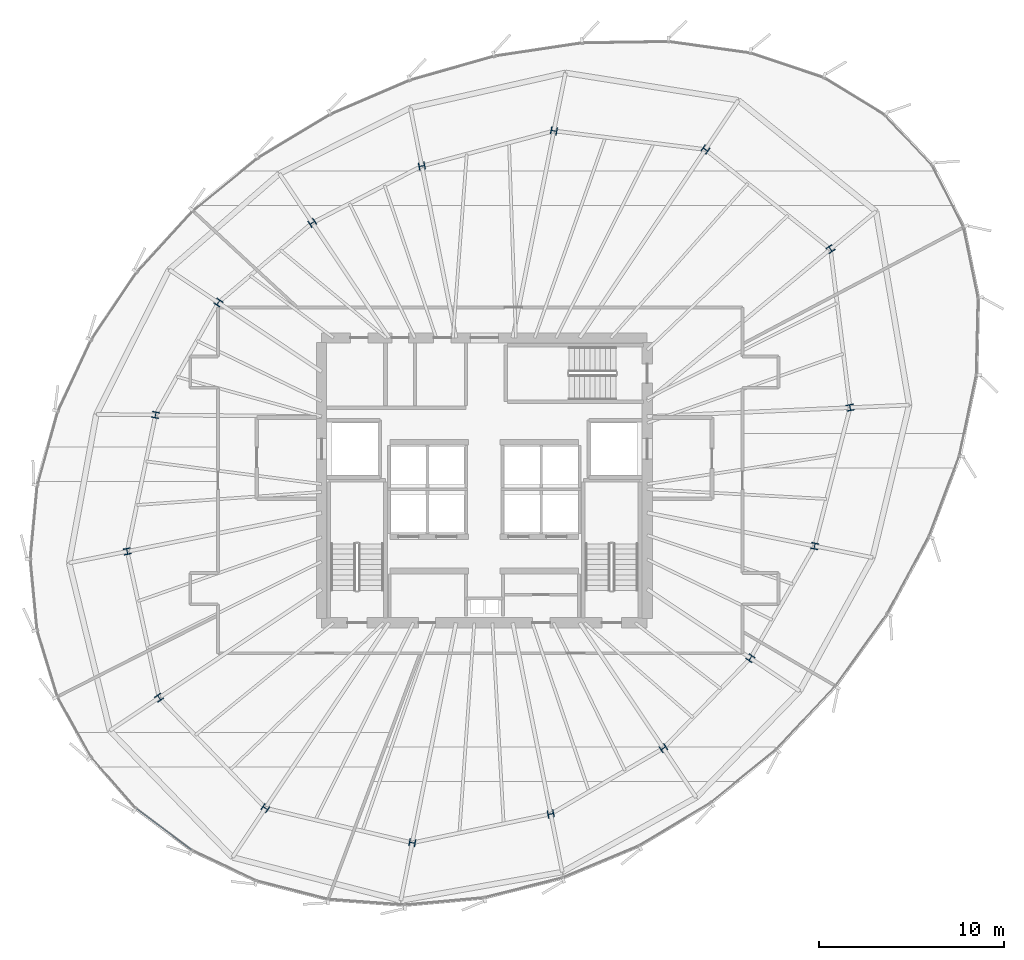
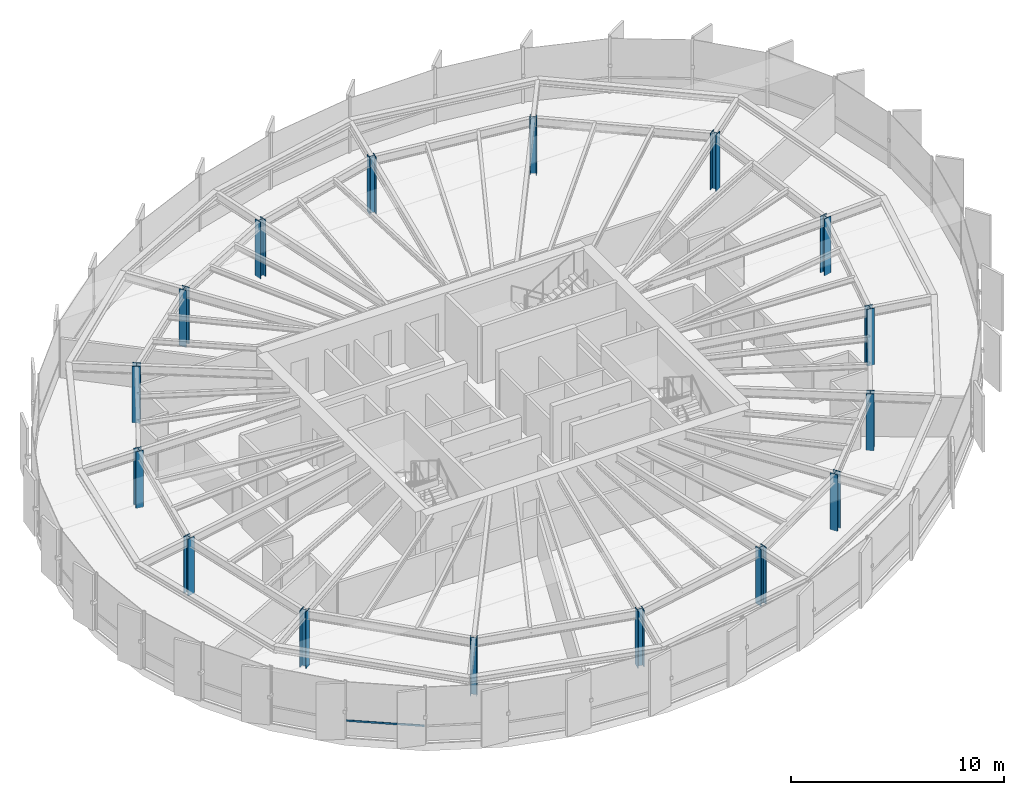
# One storey, part 1 of 36: 16 columns, 1 member, 1 element without a shape of its own.
"""IFC4 building model written with IfcOpenShell, lengths in metres."""

from ifc_helpers import new_model, si_unit, direction, frame, origin, origin_2d, place, context, subcontext, project, spatial, hollow_rectangle, i_section, extrude, source, transform, mapped, material, layer, layer_set, material_profile, profile_set, type_object, element, aggregate, save


model = new_model("IFC4")

# Units and contexts
model_context = context("Model", 3, precision=1e-05, world=origin(), true_north=direction((0.0, 1.0)))
body_context = subcontext(model_context, "Body", "Model", "MODEL_VIEW")
ifc_project = project(units=[si_unit("LENGTHUNIT", "METRE"), si_unit("AREAUNIT", "SQUARE_METRE"), si_unit("VOLUMEUNIT", "CUBIC_METRE"), si_unit("PLANEANGLEUNIT", "RADIAN"), si_unit("MASSUNIT", "GRAM", prefix="KILO"), si_unit("THERMODYNAMICTEMPERATUREUNIT", "KELVIN")], contexts=[model_context])

# Site, building, storey
site_placement = place(None, origin())
site = spatial("IfcSite", under=ifc_project, at=site_placement, CompositionType="ELEMENT")
building_placement = place(site_placement, origin())
building = spatial("IfcBuilding", under=site, at=building_placement, Name="Kethvar Cultural Tower", CompositionType="ELEMENT")
storey_placement = place(building_placement, frame((0.0, 0.0, 176.39990234375)))
storey = spatial("IfcBuildingStorey", under=building, at=storey_placement, Name="L45", CompositionType="ELEMENT", Elevation=176.39990234375)

# Columns
ifc_material_1 = material(Name="Steel S460M", Category="steel")
ifc_material_profile_1 = material_profile(ifc_material_1, i_section(OverallWidth=0.39111328125, OverallDepth=0.3349609375, WebThickness=0.022705078125, FlangeThickness=0.033935546875, FilletRadius=0.014892578125, at=origin_2d()), Name="Steel S460M — HD400x463")
ifc_profile_set_1 = profile_set([ifc_material_profile_1], Name="Steel S460M — HD400x463")
column_type = type_object("IfcColumnType", Name="COL-HD463", PredefinedType="COLUMN", material=ifc_profile_set_1)
shared_shape_1 = source(origin(), body_context, "Body", "SweptSolid", [
    extrude(i_section(OverallWidth=0.39111328125, OverallDepth=0.3349609375, WebThickness=0.022705078125, FlangeThickness=0.033935546875, FilletRadius=0.014892578125, at=origin_2d()), origin(), (0.0, 0.0, 1.0), 3.260009765625),
])
for number, where, z_axis, x_axis, name in (
    (1, (66.56396484375, 31.731201171875, 0.0), (0.0, 0.0, 1.0), (0.980785280403, 0.195090322016, 0.0), "L45 Mega-Column MC-01"),
    (2, (65.504150390625, 40.297607421875, 0.0), (0.0, 0.0, 1.0), (0.831469612303, 0.55557023302, 0.0), "L45 Mega-Column MC-02"),
    (3, (58.748046875, 45.681396484375, 0.0), (0.0, 0.0, 1.0), (0.55557023302, 0.831469612303, 0.0), "L45 Mega-Column MC-03"),
    (4, (50.556884765625, 46.6875, 0.0), (0.0, 0.0, 1.0), (0.195090322016, 0.980785280403, 0.0), "L45 Mega-Column MC-04"),
    (5, (43.420654296875, 44.789306640625, 0.0), (0.0, 0.0, 1.0), (-0.195090322016, 0.980785280403, 0.0), "L45 Mega-Column MC-05"),
    (6, (37.498779296875, 41.720458984375, 0.0), (0.0, 0.0, 1.0), (-0.55557023302, 0.831469612303, 0.0), "L45 Mega-Column MC-06"),
    (7, (32.418212890625, 37.409423828125, 0.0), (0.0, 0.0, 1.0), (-0.831469612303, 0.55557023302, 0.0), "L45 Mega-Column MC-07"),
    (8, (29.02490234375, 31.335693359375, 0.0), (0.0, 0.0, 1.0), (-0.980785280403, 0.195090322016, 0.0), "L45 Mega-Column MC-08"),
    (9, (27.492919921875, 23.959716796875, 0.0), (0.0, 0.0, 1.0), (-0.980785280403, -0.195090322016, 0.0), "L45 Mega-Column MC-09"),
    (10, (29.217529296875, 16.0517578125, 0.0), (0.0, 0.0, 1.0), (-0.831469612303, -0.55557023302, 0.0), "L45 Mega-Column MC-10"),
    (11, (34.962646484375, 10.084228515625, 0.0), (0.0, 0.0, 1.0), (-0.55557023302, -0.831469612303, 0.0), "L45 Mega-Column MC-11"),
    (12, (42.903564453125, 8.2109375, 0.0), (0.0, 0.0, 1.0), (-0.195090322016, -0.980785280403, 0.0), "L45 Mega-Column MC-12"),
    (13, (50.38671875, 9.7685546875, 0.0), (0.0, 0.0, 1.0), (0.195090322016, -0.980785280403, 0.0), "L45 Mega-Column MC-13"),
    (14, (56.474609375, 13.32080078125, 0.0), (0.0, 0.0, 1.0), (0.55557023302, -0.831469612303, 0.0), "L45 Mega-Column MC-14"),
    (15, (61.1826171875, 18.18994140625, 0.0), (0.0, 0.0, 1.0), (0.831469612303, -0.55557023302, 0.0), "L45 Mega-Column MC-15"),
    (16, (64.648681640625, 24.249755859375, 0.0), (0.0, 0.0, 1.0), (0.980785280403, -0.195090322016, 0.0), "L45 Mega-Column MC-16"),
):
    element("IfcColumn", number, at=place(storey_placement, frame(where, z_axis=z_axis, x_axis=x_axis)), inside=storey, type_object=column_type, Name=name, PredefinedType="COLUMN", context=body_context, shape_type="MappedRepresentation", body=[
        mapped(shared_shape_1, transform((0.0, 0.0, 0.0), scale=1.0)),
    ])

# Curtain wall, member
ifc_material_2 = material(Name="Aluminium 6063-T6", Category="aluminium")
ifc_layer = layer(ifc_material_2, 0.179931640625, Name="Aluminium 6063-T6", Category="aluminium")
ifc_layer_set = layer_set([ifc_layer], Name="Aluminium 6063-T6 (180 mm)")
curtain_wall_type = type_object("IfcCurtainWallType", Name="CW-SYS-04-Z34", PredefinedType="NOTDEFINED", material=ifc_layer_set)
curtain_wall_placement = place(storey_placement, origin())
curtain_wall = element("IfcCurtainWall", 17, at=curtain_wall_placement, inside=storey, type_object=curtain_wall_type, Name="L45 Curtain Wall Run 04", PredefinedType="NOTDEFINED")
ifc_material_profile_2 = material_profile(ifc_material_2, hollow_rectangle(XDim=0.050048828125, YDim=0.10009765625, WallThickness=0.00390625, at=origin_2d()), Name="Aluminium 6063-T6 — RHS100x50x4")
ifc_profile_set_2 = profile_set([ifc_material_profile_2], Name="Aluminium 6063-T6 — RHS100x50x4")
member_type = type_object("IfcMemberType", Name="CW-SYS-04-Z34-TRN", PredefinedType="USERDEFINED", material=ifc_profile_set_2)
shared_shape_2 = source(origin(), body_context, "Body", "SweptSolid", [
    extrude(hollow_rectangle(XDim=0.050048828125, YDim=0.10009765625, WallThickness=0.00390625, at=origin_2d()), origin(), (0.0, 0.0, 1.0), 3.703125),
])
member_placement = place(storey_placement, frame((28.010498046875, 10.045654296875, 0.9501953125), z_axis=(0.800743036241, -0.599008004881, 0.0), x_axis=(0.599008004881, 0.800743036241, 0.0)))
member = element("IfcMember", 18, at=member_placement, type_object=member_type, Name="CW-L45-R04 Transom 2", ObjectType="TRANSOM", PredefinedType="USERDEFINED", context=body_context, shape_type="MappedRepresentation", body=[
    mapped(shared_shape_2, transform((0.0, 0.0, 0.0), scale=1.0)),
])
aggregate(curtain_wall, [member])

save(model, "model.ifc")
